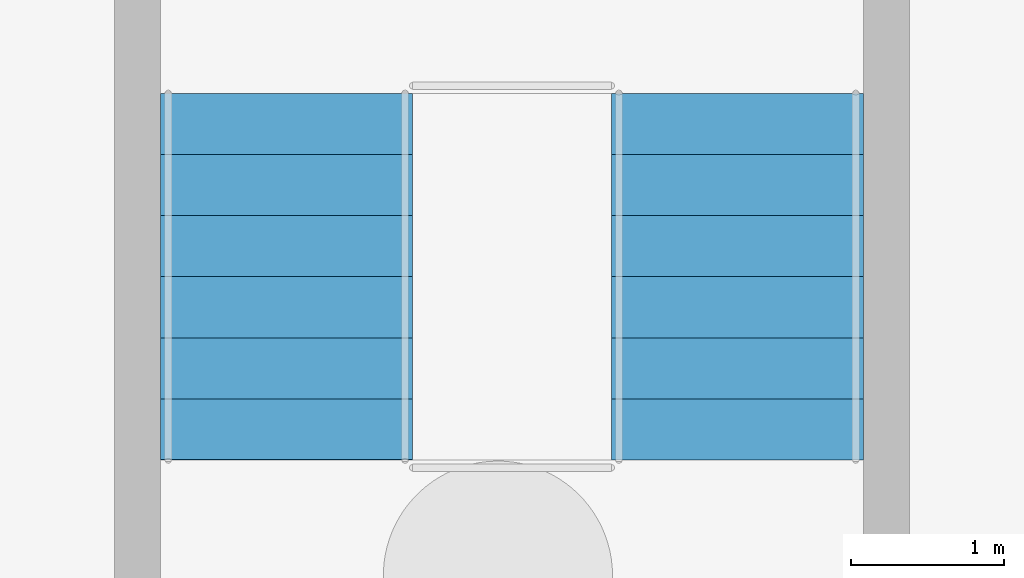
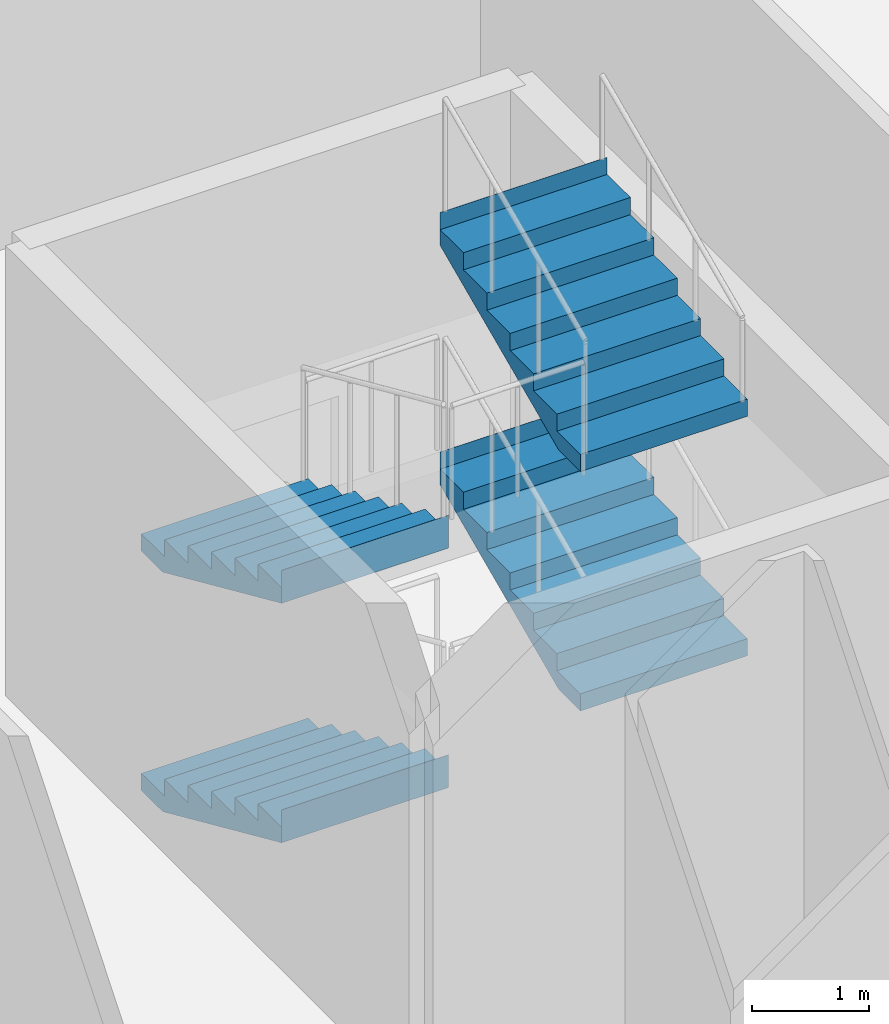
# One storey, part 12 of 19: 4 stair flights, 1 element without a shape of its own.
"""IFC4 building model written with IfcOpenShell, lengths in metres."""

from ifc_helpers import new_model, si_unit, direction, frame, origin, place, context, subcontext, project, spatial, triangles, material, type_object, element, aggregate, save


model = new_model("IFC4")

# Units and contexts
model_context = context("Model", 3, precision=1e-05, world=origin(), true_north=direction((0.0, 1.0)))
body_context = subcontext(model_context, "Body", "Model", "MODEL_VIEW")
ifc_project = project(units=[si_unit("LENGTHUNIT", "METRE"), si_unit("AREAUNIT", "SQUARE_METRE"), si_unit("VOLUMEUNIT", "CUBIC_METRE"), si_unit("PLANEANGLEUNIT", "RADIAN"), si_unit("MASSUNIT", "GRAM", prefix="KILO")], contexts=[model_context])

# Site, building, storey
site_placement = place(None, origin())
site = spatial("IfcSite", under=ifc_project, at=site_placement, CompositionType="ELEMENT")
building_placement = place(site_placement, origin())
building = spatial("IfcBuilding", under=site, at=building_placement, Name="Sahrelin Media Tower", CompositionType="ELEMENT")
storey_placement = place(building_placement, frame((0.0, 0.0, -5.0)))
storey = spatial("IfcBuildingStorey", under=building, at=storey_placement, Name="B1", CompositionType="ELEMENT", Elevation=-5.0)

# Stair, stair flights
ifc_material = material(Name="Concrete C40/50", Category="concrete")
stair_type = type_object("IfcStairType", Name="Podium stair 1650", PredefinedType="HALF_TURN_STAIR", material=ifc_material)
stair_placement = place(storey_placement, origin())
stair = element("IfcStair", 1, at=stair_placement, inside=storey, type_object=stair_type, Name="B1 Podium stair BS2", PredefinedType="HALF_TURN_STAIR")
stair_flight_type = type_object("IfcStairFlightType", Name="Stair flight 1650", PredefinedType="STRAIGHT", material=ifc_material)
stair_flight_1_placement = place(storey_placement, frame((-1.47509765625, -18.64990234375, 0.0), z_axis=(0.0, 0.0, 1.0), x_axis=(0.0, -1.0, 0.0)))
stair_flight_1 = element("IfcStairFlight", 2, at=stair_flight_1_placement, type_object=stair_flight_type, Name="BS2 flight 1", NumberOfRisers=7, NumberOfTreads=6, PredefinedType="STRAIGHT", RiserHeight=0.178571429, TreadLength=0.4, context=body_context, shape_type="Tessellation", body=[
    triangles([(0.36767578125, 0.824951171875, 0.0), (0.36767578125, 0.494873046875, 0.0), (0.36767578125, 0.1650390625, 0.0), (0.36767578125, -0.1650390625, 0.0), (0.36767578125, -0.494873046875, 0.0), (0.36767578125, -0.824951171875, 0.0), (2.39990234375, 0.824951171875, 0.9072265625), (2.39990234375, 0.494873046875, 0.9072265625), (2.39990234375, 0.1650390625, 0.9072265625), (2.39990234375, -0.1650390625, 0.9072265625), (2.39990234375, -0.494873046875, 0.9072265625), (2.39990234375, -0.824951171875, 0.9072265625), (2.39990234375, 0.824951171875, 1.25), (2.39990234375, 0.494873046875, 1.25), (2.39990234375, 0.1650390625, 1.25), (2.39990234375, -0.1650390625, 1.25), (2.39990234375, -0.494873046875, 1.25), (2.39990234375, -0.824951171875, 1.25), (2.39794921875, 0.824951171875, 1.25), (2.39794921875, 0.494873046875, 1.25), (2.39794921875, 0.1650390625, 1.25), (2.39794921875, -0.1650390625, 1.25), (2.39794921875, -0.494873046875, 1.25), (2.39794921875, -0.824951171875, 1.25), (2.39794921875, 0.824951171875, 1.071533203125), (2.39794921875, 0.494873046875, 1.071533203125), (2.39794921875, 0.1650390625, 1.071533203125), (2.39794921875, -0.1650390625, 1.071533203125), (2.39794921875, -0.494873046875, 1.071533203125), (2.39794921875, -0.824951171875, 1.071533203125), (2.0, 0.824951171875, 1.071533203125), (2.0, 0.494873046875, 1.071533203125), (2.0, 0.1650390625, 1.071533203125), (2.0, -0.1650390625, 1.071533203125), (2.0, -0.494873046875, 1.071533203125), (2.0, -0.824951171875, 1.071533203125), (2.0, 0.824951171875, 0.892822265625), (2.0, 0.494873046875, 0.892822265625), (2.0, 0.1650390625, 0.892822265625), (2.0, -0.1650390625, 0.892822265625), (2.0, -0.494873046875, 0.892822265625), (2.0, -0.824951171875, 0.892822265625), (1.60009765625, 0.824951171875, 0.892822265625), (1.60009765625, 0.494873046875, 0.892822265625), (1.60009765625, 0.1650390625, 0.892822265625), (1.60009765625, -0.1650390625, 0.892822265625), (1.60009765625, -0.494873046875, 0.892822265625), (1.60009765625, -0.824951171875, 0.892822265625), (1.60009765625, 0.824951171875, 0.71435546875), (1.60009765625, 0.494873046875, 0.71435546875), (1.60009765625, 0.1650390625, 0.71435546875), (1.60009765625, -0.1650390625, 0.71435546875), (1.60009765625, -0.494873046875, 0.71435546875), (1.60009765625, -0.824951171875, 0.71435546875), (1.199951171875, 0.824951171875, 0.71435546875), (1.199951171875, 0.494873046875, 0.71435546875), (1.199951171875, 0.1650390625, 0.71435546875), (1.199951171875, -0.1650390625, 0.71435546875), (1.199951171875, -0.494873046875, 0.71435546875), (1.199951171875, -0.824951171875, 0.71435546875), (1.199951171875, 0.824951171875, 0.53564453125), (1.199951171875, 0.494873046875, 0.53564453125), (1.199951171875, 0.1650390625, 0.53564453125), (1.199951171875, -0.1650390625, 0.53564453125), (1.199951171875, -0.494873046875, 0.53564453125), (1.199951171875, -0.824951171875, 0.53564453125), (0.800048828125, 0.824951171875, 0.53564453125), (0.800048828125, 0.494873046875, 0.53564453125), (0.800048828125, 0.1650390625, 0.53564453125), (0.800048828125, -0.1650390625, 0.53564453125), (0.800048828125, -0.494873046875, 0.53564453125), (0.800048828125, -0.824951171875, 0.53564453125), (0.800048828125, 0.824951171875, 0.357177734375), (0.800048828125, 0.494873046875, 0.357177734375), (0.800048828125, 0.1650390625, 0.357177734375), (0.800048828125, -0.1650390625, 0.357177734375), (0.800048828125, -0.494873046875, 0.357177734375), (0.800048828125, -0.824951171875, 0.357177734375), (0.39990234375, 0.824951171875, 0.357177734375), (0.39990234375, 0.494873046875, 0.357177734375), (0.39990234375, 0.1650390625, 0.357177734375), (0.39990234375, -0.1650390625, 0.357177734375), (0.39990234375, -0.494873046875, 0.357177734375), (0.39990234375, -0.824951171875, 0.357177734375), (0.39990234375, 0.824951171875, 0.178466796875), (0.39990234375, 0.494873046875, 0.178466796875), (0.39990234375, 0.1650390625, 0.178466796875), (0.39990234375, -0.1650390625, 0.178466796875), (0.39990234375, -0.494873046875, 0.178466796875), (0.39990234375, -0.824951171875, 0.178466796875), (0.0, 0.824951171875, 0.178466796875), (0.0, 0.494873046875, 0.178466796875), (0.0, 0.1650390625, 0.178466796875), (0.0, -0.1650390625, 0.178466796875), (0.0, -0.494873046875, 0.178466796875), (0.0, -0.824951171875, 0.178466796875), (0.0, 0.824951171875, 0.0), (0.0, 0.494873046875, 0.0), (0.0, 0.1650390625, 0.0), (0.0, -0.1650390625, 0.0), (0.0, -0.494873046875, 0.0), (0.0, -0.824951171875, 0.0)], [[1, 7, 8], [1, 8, 2], [2, 8, 9], [2, 9, 3], [3, 9, 10], [3, 10, 4], [4, 10, 11], [4, 11, 5], [5, 11, 12], [5, 12, 6], [7, 13, 14], [7, 14, 8], [8, 14, 15], [8, 15, 9], [9, 15, 16], [9, 16, 10], [10, 16, 17], [10, 17, 11], [11, 17, 18], [11, 18, 12], [13, 19, 20], [13, 20, 14], [14, 20, 21], [14, 21, 15], [15, 21, 22], [15, 22, 16], [16, 22, 23], [16, 23, 17], [17, 23, 24], [17, 24, 18], [19, 25, 26], [19, 26, 20], [20, 26, 27], [20, 27, 21], [21, 27, 28], [21, 28, 22], [22, 28, 29], [22, 29, 23], [23, 29, 30], [23, 30, 24], [25, 31, 32], [25, 32, 26], [26, 32, 33], [26, 33, 27], [27, 33, 34], [27, 34, 28], [28, 34, 35], [28, 35, 29], [29, 35, 36], [29, 36, 30], [31, 37, 38], [31, 38, 32], [32, 38, 39], [32, 39, 33], [33, 39, 40], [33, 40, 34], [34, 40, 41], [34, 41, 35], [35, 41, 42], [35, 42, 36], [37, 43, 44], [37, 44, 38], [38, 44, 45], [38, 45, 39], [39, 45, 46], [39, 46, 40], [40, 46, 47], [40, 47, 41], [41, 47, 48], [41, 48, 42], [43, 49, 50], [43, 50, 44], [44, 50, 51], [44, 51, 45], [45, 51, 52], [45, 52, 46], [46, 52, 53], [46, 53, 47], [47, 53, 54], [47, 54, 48], [49, 55, 56], [49, 56, 50], [50, 56, 57], [50, 57, 51], [51, 57, 58], [51, 58, 52], [52, 58, 59], [52, 59, 53], [53, 59, 60], [53, 60, 54], [55, 61, 62], [55, 62, 56], [56, 62, 63], [56, 63, 57], [57, 63, 64], [57, 64, 58], [58, 64, 65], [58, 65, 59], [59, 65, 66], [59, 66, 60], [61, 67, 68], [61, 68, 62], [62, 68, 69], [62, 69, 63], [63, 69, 70], [63, 70, 64], [64, 70, 71], [64, 71, 65], [65, 71, 72], [65, 72, 66], [67, 73, 74], [67, 74, 68], [68, 74, 75], [68, 75, 69], [69, 75, 76], [69, 76, 70], [70, 76, 77], [70, 77, 71], [71, 77, 78], [71, 78, 72], [73, 79, 80], [73, 80, 74], [74, 80, 81], [74, 81, 75], [75, 81, 82], [75, 82, 76], [76, 82, 83], [76, 83, 77], [77, 83, 84], [77, 84, 78], [79, 85, 86], [79, 86, 80], [80, 86, 87], [80, 87, 81], [81, 87, 88], [81, 88, 82], [82, 88, 89], [82, 89, 83], [83, 89, 90], [83, 90, 84], [85, 91, 92], [85, 92, 86], [86, 92, 93], [86, 93, 87], [87, 93, 94], [87, 94, 88], [88, 94, 95], [88, 95, 89], [89, 95, 96], [89, 96, 90], [91, 97, 98], [91, 98, 92], [92, 98, 99], [92, 99, 93], [93, 99, 100], [93, 100, 94], [94, 100, 101], [94, 101, 95], [95, 101, 102], [95, 102, 96], [97, 1, 2], [97, 2, 98], [98, 2, 3], [98, 3, 99], [99, 3, 4], [99, 4, 100], [100, 4, 5], [100, 5, 101], [101, 5, 6], [101, 6, 102], [6, 96, 102], [1, 97, 91], [90, 78, 84], [85, 79, 73], [78, 66, 72], [73, 67, 61], [66, 54, 60], [61, 55, 49], [54, 42, 48], [49, 43, 37], [12, 30, 36], [7, 31, 25], [30, 18, 24], [25, 19, 13], [6, 90, 96], [1, 91, 85], [6, 12, 66], [1, 61, 7], [30, 12, 18], [25, 13, 7], [78, 90, 6], [73, 1, 85], [36, 42, 12], [31, 7, 37], [66, 78, 6], [61, 1, 73], [54, 12, 42], [49, 37, 7], [12, 54, 66], [7, 61, 49]], closed=True),
])
stair_flight_2_placement = place(storey_placement, frame((1.47509765625, -21.050048828125, 1.25), z_axis=(0.0, 0.0, 1.0), x_axis=(0.0, 1.0, 0.0)))
stair_flight_2 = element("IfcStairFlight", 3, at=stair_flight_2_placement, type_object=stair_flight_type, Name="BS2 flight 2", NumberOfRisers=7, NumberOfTreads=6, PredefinedType="STRAIGHT", RiserHeight=0.178571429, TreadLength=0.4, context=body_context, shape_type="Tessellation", body=[
    triangles([(0.36767578125, 0.824951171875, 0.0), (0.36767578125, 0.494873046875, 0.0), (0.36767578125, 0.1650390625, 0.0), (0.36767578125, -0.1650390625, 0.0), (0.36767578125, -0.494873046875, 0.0), (0.36767578125, -0.824951171875, 0.0), (2.39990234375, 0.824951171875, 0.9072265625), (2.39990234375, 0.494873046875, 0.9072265625), (2.39990234375, 0.1650390625, 0.9072265625), (2.39990234375, -0.1650390625, 0.9072265625), (2.39990234375, -0.494873046875, 0.9072265625), (2.39990234375, -0.824951171875, 0.9072265625), (2.39990234375, 0.824951171875, 1.25), (2.39990234375, 0.494873046875, 1.25), (2.39990234375, 0.1650390625, 1.25), (2.39990234375, -0.1650390625, 1.25), (2.39990234375, -0.494873046875, 1.25), (2.39990234375, -0.824951171875, 1.25), (2.39794921875, 0.824951171875, 1.25), (2.39794921875, 0.494873046875, 1.25), (2.39794921875, 0.1650390625, 1.25), (2.39794921875, -0.1650390625, 1.25), (2.39794921875, -0.494873046875, 1.25), (2.39794921875, -0.824951171875, 1.25), (2.39794921875, 0.824951171875, 1.071533203125), (2.39794921875, 0.494873046875, 1.071533203125), (2.39794921875, 0.1650390625, 1.071533203125), (2.39794921875, -0.1650390625, 1.071533203125), (2.39794921875, -0.494873046875, 1.071533203125), (2.39794921875, -0.824951171875, 1.071533203125), (2.0, 0.824951171875, 1.071533203125), (2.0, 0.494873046875, 1.071533203125), (2.0, 0.1650390625, 1.071533203125), (2.0, -0.1650390625, 1.071533203125), (2.0, -0.494873046875, 1.071533203125), (2.0, -0.824951171875, 1.071533203125), (2.0, 0.824951171875, 0.892822265625), (2.0, 0.494873046875, 0.892822265625), (2.0, 0.1650390625, 0.892822265625), (2.0, -0.1650390625, 0.892822265625), (2.0, -0.494873046875, 0.892822265625), (2.0, -0.824951171875, 0.892822265625), (1.60009765625, 0.824951171875, 0.892822265625), (1.60009765625, 0.494873046875, 0.892822265625), (1.60009765625, 0.1650390625, 0.892822265625), (1.60009765625, -0.1650390625, 0.892822265625), (1.60009765625, -0.494873046875, 0.892822265625), (1.60009765625, -0.824951171875, 0.892822265625), (1.60009765625, 0.824951171875, 0.71435546875), (1.60009765625, 0.494873046875, 0.71435546875), (1.60009765625, 0.1650390625, 0.71435546875), (1.60009765625, -0.1650390625, 0.71435546875), (1.60009765625, -0.494873046875, 0.71435546875), (1.60009765625, -0.824951171875, 0.71435546875), (1.199951171875, 0.824951171875, 0.71435546875), (1.199951171875, 0.494873046875, 0.71435546875), (1.199951171875, 0.1650390625, 0.71435546875), (1.199951171875, -0.1650390625, 0.71435546875), (1.199951171875, -0.494873046875, 0.71435546875), (1.199951171875, -0.824951171875, 0.71435546875), (1.199951171875, 0.824951171875, 0.53564453125), (1.199951171875, 0.494873046875, 0.53564453125), (1.199951171875, 0.1650390625, 0.53564453125), (1.199951171875, -0.1650390625, 0.53564453125), (1.199951171875, -0.494873046875, 0.53564453125), (1.199951171875, -0.824951171875, 0.53564453125), (0.800048828125, 0.824951171875, 0.53564453125), (0.800048828125, 0.494873046875, 0.53564453125), (0.800048828125, 0.1650390625, 0.53564453125), (0.800048828125, -0.1650390625, 0.53564453125), (0.800048828125, -0.494873046875, 0.53564453125), (0.800048828125, -0.824951171875, 0.53564453125), (0.800048828125, 0.824951171875, 0.357177734375), (0.800048828125, 0.494873046875, 0.357177734375), (0.800048828125, 0.1650390625, 0.357177734375), (0.800048828125, -0.1650390625, 0.357177734375), (0.800048828125, -0.494873046875, 0.357177734375), (0.800048828125, -0.824951171875, 0.357177734375), (0.39990234375, 0.824951171875, 0.357177734375), (0.39990234375, 0.494873046875, 0.357177734375), (0.39990234375, 0.1650390625, 0.357177734375), (0.39990234375, -0.1650390625, 0.357177734375), (0.39990234375, -0.494873046875, 0.357177734375), (0.39990234375, -0.824951171875, 0.357177734375), (0.39990234375, 0.824951171875, 0.178466796875), (0.39990234375, 0.494873046875, 0.178466796875), (0.39990234375, 0.1650390625, 0.178466796875), (0.39990234375, -0.1650390625, 0.178466796875), (0.39990234375, -0.494873046875, 0.178466796875), (0.39990234375, -0.824951171875, 0.178466796875), (0.0, 0.824951171875, 0.178466796875), (0.0, 0.494873046875, 0.178466796875), (0.0, 0.1650390625, 0.178466796875), (0.0, -0.1650390625, 0.178466796875), (0.0, -0.494873046875, 0.178466796875), (0.0, -0.824951171875, 0.178466796875), (0.0, 0.824951171875, 0.0), (0.0, 0.494873046875, 0.0), (0.0, 0.1650390625, 0.0), (0.0, -0.1650390625, 0.0), (0.0, -0.494873046875, 0.0), (0.0, -0.824951171875, 0.0)], [[1, 7, 8], [1, 8, 2], [2, 8, 9], [2, 9, 3], [3, 9, 10], [3, 10, 4], [4, 10, 11], [4, 11, 5], [5, 11, 12], [5, 12, 6], [7, 13, 14], [7, 14, 8], [8, 14, 15], [8, 15, 9], [9, 15, 16], [9, 16, 10], [10, 16, 17], [10, 17, 11], [11, 17, 18], [11, 18, 12], [13, 19, 20], [13, 20, 14], [14, 20, 21], [14, 21, 15], [15, 21, 22], [15, 22, 16], [16, 22, 23], [16, 23, 17], [17, 23, 24], [17, 24, 18], [19, 25, 26], [19, 26, 20], [20, 26, 27], [20, 27, 21], [21, 27, 28], [21, 28, 22], [22, 28, 29], [22, 29, 23], [23, 29, 30], [23, 30, 24], [25, 31, 32], [25, 32, 26], [26, 32, 33], [26, 33, 27], [27, 33, 34], [27, 34, 28], [28, 34, 35], [28, 35, 29], [29, 35, 36], [29, 36, 30], [31, 37, 38], [31, 38, 32], [32, 38, 39], [32, 39, 33], [33, 39, 40], [33, 40, 34], [34, 40, 41], [34, 41, 35], [35, 41, 42], [35, 42, 36], [37, 43, 44], [37, 44, 38], [38, 44, 45], [38, 45, 39], [39, 45, 46], [39, 46, 40], [40, 46, 47], [40, 47, 41], [41, 47, 48], [41, 48, 42], [43, 49, 50], [43, 50, 44], [44, 50, 51], [44, 51, 45], [45, 51, 52], [45, 52, 46], [46, 52, 53], [46, 53, 47], [47, 53, 54], [47, 54, 48], [49, 55, 56], [49, 56, 50], [50, 56, 57], [50, 57, 51], [51, 57, 58], [51, 58, 52], [52, 58, 59], [52, 59, 53], [53, 59, 60], [53, 60, 54], [55, 61, 62], [55, 62, 56], [56, 62, 63], [56, 63, 57], [57, 63, 64], [57, 64, 58], [58, 64, 65], [58, 65, 59], [59, 65, 66], [59, 66, 60], [61, 67, 68], [61, 68, 62], [62, 68, 69], [62, 69, 63], [63, 69, 70], [63, 70, 64], [64, 70, 71], [64, 71, 65], [65, 71, 72], [65, 72, 66], [67, 73, 74], [67, 74, 68], [68, 74, 75], [68, 75, 69], [69, 75, 76], [69, 76, 70], [70, 76, 77], [70, 77, 71], [71, 77, 78], [71, 78, 72], [73, 79, 80], [73, 80, 74], [74, 80, 81], [74, 81, 75], [75, 81, 82], [75, 82, 76], [76, 82, 83], [76, 83, 77], [77, 83, 84], [77, 84, 78], [79, 85, 86], [79, 86, 80], [80, 86, 87], [80, 87, 81], [81, 87, 88], [81, 88, 82], [82, 88, 89], [82, 89, 83], [83, 89, 90], [83, 90, 84], [85, 91, 92], [85, 92, 86], [86, 92, 93], [86, 93, 87], [87, 93, 94], [87, 94, 88], [88, 94, 95], [88, 95, 89], [89, 95, 96], [89, 96, 90], [91, 97, 98], [91, 98, 92], [92, 98, 99], [92, 99, 93], [93, 99, 100], [93, 100, 94], [94, 100, 101], [94, 101, 95], [95, 101, 102], [95, 102, 96], [97, 1, 2], [97, 2, 98], [98, 2, 3], [98, 3, 99], [99, 3, 4], [99, 4, 100], [100, 4, 5], [100, 5, 101], [101, 5, 6], [101, 6, 102], [6, 96, 102], [1, 97, 91], [90, 78, 84], [85, 79, 73], [78, 66, 72], [73, 67, 61], [66, 54, 60], [61, 55, 49], [54, 42, 48], [49, 43, 37], [12, 30, 36], [7, 31, 25], [30, 18, 24], [25, 19, 13], [6, 90, 96], [1, 91, 85], [6, 12, 66], [1, 61, 7], [30, 12, 18], [25, 13, 7], [78, 90, 6], [73, 1, 85], [36, 42, 12], [31, 7, 37], [66, 78, 6], [61, 1, 73], [54, 12, 42], [49, 37, 7], [12, 54, 66], [7, 61, 49]], closed=True),
])
stair_flight_3_placement = place(storey_placement, frame((-1.47509765625, -18.64990234375, 2.5), z_axis=(0.0, 0.0, 1.0), x_axis=(0.0, -1.0, 0.0)))
stair_flight_3 = element("IfcStairFlight", 4, at=stair_flight_3_placement, type_object=stair_flight_type, Name="BS2 flight 3", NumberOfRisers=7, NumberOfTreads=6, PredefinedType="STRAIGHT", RiserHeight=0.178571429, TreadLength=0.4, context=body_context, shape_type="Tessellation", body=[
    triangles([(0.36767578125, 0.824951171875, 0.0), (0.36767578125, 0.494873046875, 0.0), (0.36767578125, 0.1650390625, 0.0), (0.36767578125, -0.1650390625, 0.0), (0.36767578125, -0.494873046875, 0.0), (0.36767578125, -0.824951171875, 0.0), (2.39990234375, 0.824951171875, 0.9072265625), (2.39990234375, 0.494873046875, 0.9072265625), (2.39990234375, 0.1650390625, 0.9072265625), (2.39990234375, -0.1650390625, 0.9072265625), (2.39990234375, -0.494873046875, 0.9072265625), (2.39990234375, -0.824951171875, 0.9072265625), (2.39990234375, 0.824951171875, 1.25), (2.39990234375, 0.494873046875, 1.25), (2.39990234375, 0.1650390625, 1.25), (2.39990234375, -0.1650390625, 1.25), (2.39990234375, -0.494873046875, 1.25), (2.39990234375, -0.824951171875, 1.25), (2.39794921875, 0.824951171875, 1.25), (2.39794921875, 0.494873046875, 1.25), (2.39794921875, 0.1650390625, 1.25), (2.39794921875, -0.1650390625, 1.25), (2.39794921875, -0.494873046875, 1.25), (2.39794921875, -0.824951171875, 1.25), (2.39794921875, 0.824951171875, 1.071533203125), (2.39794921875, 0.494873046875, 1.071533203125), (2.39794921875, 0.1650390625, 1.071533203125), (2.39794921875, -0.1650390625, 1.071533203125), (2.39794921875, -0.494873046875, 1.071533203125), (2.39794921875, -0.824951171875, 1.071533203125), (2.0, 0.824951171875, 1.071533203125), (2.0, 0.494873046875, 1.071533203125), (2.0, 0.1650390625, 1.071533203125), (2.0, -0.1650390625, 1.071533203125), (2.0, -0.494873046875, 1.071533203125), (2.0, -0.824951171875, 1.071533203125), (2.0, 0.824951171875, 0.892822265625), (2.0, 0.494873046875, 0.892822265625), (2.0, 0.1650390625, 0.892822265625), (2.0, -0.1650390625, 0.892822265625), (2.0, -0.494873046875, 0.892822265625), (2.0, -0.824951171875, 0.892822265625), (1.60009765625, 0.824951171875, 0.892822265625), (1.60009765625, 0.494873046875, 0.892822265625), (1.60009765625, 0.1650390625, 0.892822265625), (1.60009765625, -0.1650390625, 0.892822265625), (1.60009765625, -0.494873046875, 0.892822265625), (1.60009765625, -0.824951171875, 0.892822265625), (1.60009765625, 0.824951171875, 0.71435546875), (1.60009765625, 0.494873046875, 0.71435546875), (1.60009765625, 0.1650390625, 0.71435546875), (1.60009765625, -0.1650390625, 0.71435546875), (1.60009765625, -0.494873046875, 0.71435546875), (1.60009765625, -0.824951171875, 0.71435546875), (1.199951171875, 0.824951171875, 0.71435546875), (1.199951171875, 0.494873046875, 0.71435546875), (1.199951171875, 0.1650390625, 0.71435546875), (1.199951171875, -0.1650390625, 0.71435546875), (1.199951171875, -0.494873046875, 0.71435546875), (1.199951171875, -0.824951171875, 0.71435546875), (1.199951171875, 0.824951171875, 0.53564453125), (1.199951171875, 0.494873046875, 0.53564453125), (1.199951171875, 0.1650390625, 0.53564453125), (1.199951171875, -0.1650390625, 0.53564453125), (1.199951171875, -0.494873046875, 0.53564453125), (1.199951171875, -0.824951171875, 0.53564453125), (0.800048828125, 0.824951171875, 0.53564453125), (0.800048828125, 0.494873046875, 0.53564453125), (0.800048828125, 0.1650390625, 0.53564453125), (0.800048828125, -0.1650390625, 0.53564453125), (0.800048828125, -0.494873046875, 0.53564453125), (0.800048828125, -0.824951171875, 0.53564453125), (0.800048828125, 0.824951171875, 0.357177734375), (0.800048828125, 0.494873046875, 0.357177734375), (0.800048828125, 0.1650390625, 0.357177734375), (0.800048828125, -0.1650390625, 0.357177734375), (0.800048828125, -0.494873046875, 0.357177734375), (0.800048828125, -0.824951171875, 0.357177734375), (0.39990234375, 0.824951171875, 0.357177734375), (0.39990234375, 0.494873046875, 0.357177734375), (0.39990234375, 0.1650390625, 0.357177734375), (0.39990234375, -0.1650390625, 0.357177734375), (0.39990234375, -0.494873046875, 0.357177734375), (0.39990234375, -0.824951171875, 0.357177734375), (0.39990234375, 0.824951171875, 0.178466796875), (0.39990234375, 0.494873046875, 0.178466796875), (0.39990234375, 0.1650390625, 0.178466796875), (0.39990234375, -0.1650390625, 0.178466796875), (0.39990234375, -0.494873046875, 0.178466796875), (0.39990234375, -0.824951171875, 0.178466796875), (0.0, 0.824951171875, 0.178466796875), (0.0, 0.494873046875, 0.178466796875), (0.0, 0.1650390625, 0.178466796875), (0.0, -0.1650390625, 0.178466796875), (0.0, -0.494873046875, 0.178466796875), (0.0, -0.824951171875, 0.178466796875), (0.0, 0.824951171875, 0.0), (0.0, 0.494873046875, 0.0), (0.0, 0.1650390625, 0.0), (0.0, -0.1650390625, 0.0), (0.0, -0.494873046875, 0.0), (0.0, -0.824951171875, 0.0)], [[1, 7, 8], [1, 8, 2], [2, 8, 9], [2, 9, 3], [3, 9, 10], [3, 10, 4], [4, 10, 11], [4, 11, 5], [5, 11, 12], [5, 12, 6], [7, 13, 14], [7, 14, 8], [8, 14, 15], [8, 15, 9], [9, 15, 16], [9, 16, 10], [10, 16, 17], [10, 17, 11], [11, 17, 18], [11, 18, 12], [13, 19, 20], [13, 20, 14], [14, 20, 21], [14, 21, 15], [15, 21, 22], [15, 22, 16], [16, 22, 23], [16, 23, 17], [17, 23, 24], [17, 24, 18], [19, 25, 26], [19, 26, 20], [20, 26, 27], [20, 27, 21], [21, 27, 28], [21, 28, 22], [22, 28, 29], [22, 29, 23], [23, 29, 30], [23, 30, 24], [25, 31, 32], [25, 32, 26], [26, 32, 33], [26, 33, 27], [27, 33, 34], [27, 34, 28], [28, 34, 35], [28, 35, 29], [29, 35, 36], [29, 36, 30], [31, 37, 38], [31, 38, 32], [32, 38, 39], [32, 39, 33], [33, 39, 40], [33, 40, 34], [34, 40, 41], [34, 41, 35], [35, 41, 42], [35, 42, 36], [37, 43, 44], [37, 44, 38], [38, 44, 45], [38, 45, 39], [39, 45, 46], [39, 46, 40], [40, 46, 47], [40, 47, 41], [41, 47, 48], [41, 48, 42], [43, 49, 50], [43, 50, 44], [44, 50, 51], [44, 51, 45], [45, 51, 52], [45, 52, 46], [46, 52, 53], [46, 53, 47], [47, 53, 54], [47, 54, 48], [49, 55, 56], [49, 56, 50], [50, 56, 57], [50, 57, 51], [51, 57, 58], [51, 58, 52], [52, 58, 59], [52, 59, 53], [53, 59, 60], [53, 60, 54], [55, 61, 62], [55, 62, 56], [56, 62, 63], [56, 63, 57], [57, 63, 64], [57, 64, 58], [58, 64, 65], [58, 65, 59], [59, 65, 66], [59, 66, 60], [61, 67, 68], [61, 68, 62], [62, 68, 69], [62, 69, 63], [63, 69, 70], [63, 70, 64], [64, 70, 71], [64, 71, 65], [65, 71, 72], [65, 72, 66], [67, 73, 74], [67, 74, 68], [68, 74, 75], [68, 75, 69], [69, 75, 76], [69, 76, 70], [70, 76, 77], [70, 77, 71], [71, 77, 78], [71, 78, 72], [73, 79, 80], [73, 80, 74], [74, 80, 81], [74, 81, 75], [75, 81, 82], [75, 82, 76], [76, 82, 83], [76, 83, 77], [77, 83, 84], [77, 84, 78], [79, 85, 86], [79, 86, 80], [80, 86, 87], [80, 87, 81], [81, 87, 88], [81, 88, 82], [82, 88, 89], [82, 89, 83], [83, 89, 90], [83, 90, 84], [85, 91, 92], [85, 92, 86], [86, 92, 93], [86, 93, 87], [87, 93, 94], [87, 94, 88], [88, 94, 95], [88, 95, 89], [89, 95, 96], [89, 96, 90], [91, 97, 98], [91, 98, 92], [92, 98, 99], [92, 99, 93], [93, 99, 100], [93, 100, 94], [94, 100, 101], [94, 101, 95], [95, 101, 102], [95, 102, 96], [97, 1, 2], [97, 2, 98], [98, 2, 3], [98, 3, 99], [99, 3, 4], [99, 4, 100], [100, 4, 5], [100, 5, 101], [101, 5, 6], [101, 6, 102], [6, 96, 102], [1, 97, 91], [90, 78, 84], [85, 79, 73], [78, 66, 72], [73, 67, 61], [66, 54, 60], [61, 55, 49], [54, 42, 48], [49, 43, 37], [12, 30, 36], [7, 31, 25], [30, 18, 24], [25, 19, 13], [6, 90, 96], [1, 91, 85], [6, 12, 66], [1, 61, 7], [30, 12, 18], [25, 13, 7], [78, 90, 6], [73, 1, 85], [36, 42, 12], [31, 7, 37], [66, 78, 6], [61, 1, 73], [54, 12, 42], [49, 37, 7], [12, 54, 66], [7, 61, 49]], closed=True),
])
stair_flight_4_placement = place(storey_placement, frame((1.47509765625, -21.050048828125, 3.75), z_axis=(0.0, 0.0, 1.0), x_axis=(0.0, 1.0, 0.0)))
stair_flight_4 = element("IfcStairFlight", 5, at=stair_flight_4_placement, type_object=stair_flight_type, Name="BS2 flight 4", NumberOfRisers=7, NumberOfTreads=6, PredefinedType="STRAIGHT", RiserHeight=0.178571429, TreadLength=0.4, context=body_context, shape_type="Tessellation", body=[
    triangles([(0.36767578125, 0.824951171875, 0.0), (0.36767578125, 0.494873046875, 0.0), (0.36767578125, 0.1650390625, 0.0), (0.36767578125, -0.1650390625, 0.0), (0.36767578125, -0.494873046875, 0.0), (0.36767578125, -0.824951171875, 0.0), (2.39990234375, 0.824951171875, 0.9072265625), (2.39990234375, 0.494873046875, 0.9072265625), (2.39990234375, 0.1650390625, 0.9072265625), (2.39990234375, -0.1650390625, 0.9072265625), (2.39990234375, -0.494873046875, 0.9072265625), (2.39990234375, -0.824951171875, 0.9072265625), (2.39990234375, 0.824951171875, 1.25), (2.39990234375, 0.494873046875, 1.25), (2.39990234375, 0.1650390625, 1.25), (2.39990234375, -0.1650390625, 1.25), (2.39990234375, -0.494873046875, 1.25), (2.39990234375, -0.824951171875, 1.25), (2.39794921875, 0.824951171875, 1.25), (2.39794921875, 0.494873046875, 1.25), (2.39794921875, 0.1650390625, 1.25), (2.39794921875, -0.1650390625, 1.25), (2.39794921875, -0.494873046875, 1.25), (2.39794921875, -0.824951171875, 1.25), (2.39794921875, 0.824951171875, 1.071533203125), (2.39794921875, 0.494873046875, 1.071533203125), (2.39794921875, 0.1650390625, 1.071533203125), (2.39794921875, -0.1650390625, 1.071533203125), (2.39794921875, -0.494873046875, 1.071533203125), (2.39794921875, -0.824951171875, 1.071533203125), (2.0, 0.824951171875, 1.071533203125), (2.0, 0.494873046875, 1.071533203125), (2.0, 0.1650390625, 1.071533203125), (2.0, -0.1650390625, 1.071533203125), (2.0, -0.494873046875, 1.071533203125), (2.0, -0.824951171875, 1.071533203125), (2.0, 0.824951171875, 0.892822265625), (2.0, 0.494873046875, 0.892822265625), (2.0, 0.1650390625, 0.892822265625), (2.0, -0.1650390625, 0.892822265625), (2.0, -0.494873046875, 0.892822265625), (2.0, -0.824951171875, 0.892822265625), (1.60009765625, 0.824951171875, 0.892822265625), (1.60009765625, 0.494873046875, 0.892822265625), (1.60009765625, 0.1650390625, 0.892822265625), (1.60009765625, -0.1650390625, 0.892822265625), (1.60009765625, -0.494873046875, 0.892822265625), (1.60009765625, -0.824951171875, 0.892822265625), (1.60009765625, 0.824951171875, 0.71435546875), (1.60009765625, 0.494873046875, 0.71435546875), (1.60009765625, 0.1650390625, 0.71435546875), (1.60009765625, -0.1650390625, 0.71435546875), (1.60009765625, -0.494873046875, 0.71435546875), (1.60009765625, -0.824951171875, 0.71435546875), (1.199951171875, 0.824951171875, 0.71435546875), (1.199951171875, 0.494873046875, 0.71435546875), (1.199951171875, 0.1650390625, 0.71435546875), (1.199951171875, -0.1650390625, 0.71435546875), (1.199951171875, -0.494873046875, 0.71435546875), (1.199951171875, -0.824951171875, 0.71435546875), (1.199951171875, 0.824951171875, 0.53564453125), (1.199951171875, 0.494873046875, 0.53564453125), (1.199951171875, 0.1650390625, 0.53564453125), (1.199951171875, -0.1650390625, 0.53564453125), (1.199951171875, -0.494873046875, 0.53564453125), (1.199951171875, -0.824951171875, 0.53564453125), (0.800048828125, 0.824951171875, 0.53564453125), (0.800048828125, 0.494873046875, 0.53564453125), (0.800048828125, 0.1650390625, 0.53564453125), (0.800048828125, -0.1650390625, 0.53564453125), (0.800048828125, -0.494873046875, 0.53564453125), (0.800048828125, -0.824951171875, 0.53564453125), (0.800048828125, 0.824951171875, 0.357177734375), (0.800048828125, 0.494873046875, 0.357177734375), (0.800048828125, 0.1650390625, 0.357177734375), (0.800048828125, -0.1650390625, 0.357177734375), (0.800048828125, -0.494873046875, 0.357177734375), (0.800048828125, -0.824951171875, 0.357177734375), (0.39990234375, 0.824951171875, 0.357177734375), (0.39990234375, 0.494873046875, 0.357177734375), (0.39990234375, 0.1650390625, 0.357177734375), (0.39990234375, -0.1650390625, 0.357177734375), (0.39990234375, -0.494873046875, 0.357177734375), (0.39990234375, -0.824951171875, 0.357177734375), (0.39990234375, 0.824951171875, 0.178466796875), (0.39990234375, 0.494873046875, 0.178466796875), (0.39990234375, 0.1650390625, 0.178466796875), (0.39990234375, -0.1650390625, 0.178466796875), (0.39990234375, -0.494873046875, 0.178466796875), (0.39990234375, -0.824951171875, 0.178466796875), (0.0, 0.824951171875, 0.178466796875), (0.0, 0.494873046875, 0.178466796875), (0.0, 0.1650390625, 0.178466796875), (0.0, -0.1650390625, 0.178466796875), (0.0, -0.494873046875, 0.178466796875), (0.0, -0.824951171875, 0.178466796875), (0.0, 0.824951171875, 0.0), (0.0, 0.494873046875, 0.0), (0.0, 0.1650390625, 0.0), (0.0, -0.1650390625, 0.0), (0.0, -0.494873046875, 0.0), (0.0, -0.824951171875, 0.0)], [[1, 7, 8], [1, 8, 2], [2, 8, 9], [2, 9, 3], [3, 9, 10], [3, 10, 4], [4, 10, 11], [4, 11, 5], [5, 11, 12], [5, 12, 6], [7, 13, 14], [7, 14, 8], [8, 14, 15], [8, 15, 9], [9, 15, 16], [9, 16, 10], [10, 16, 17], [10, 17, 11], [11, 17, 18], [11, 18, 12], [13, 19, 20], [13, 20, 14], [14, 20, 21], [14, 21, 15], [15, 21, 22], [15, 22, 16], [16, 22, 23], [16, 23, 17], [17, 23, 24], [17, 24, 18], [19, 25, 26], [19, 26, 20], [20, 26, 27], [20, 27, 21], [21, 27, 28], [21, 28, 22], [22, 28, 29], [22, 29, 23], [23, 29, 30], [23, 30, 24], [25, 31, 32], [25, 32, 26], [26, 32, 33], [26, 33, 27], [27, 33, 34], [27, 34, 28], [28, 34, 35], [28, 35, 29], [29, 35, 36], [29, 36, 30], [31, 37, 38], [31, 38, 32], [32, 38, 39], [32, 39, 33], [33, 39, 40], [33, 40, 34], [34, 40, 41], [34, 41, 35], [35, 41, 42], [35, 42, 36], [37, 43, 44], [37, 44, 38], [38, 44, 45], [38, 45, 39], [39, 45, 46], [39, 46, 40], [40, 46, 47], [40, 47, 41], [41, 47, 48], [41, 48, 42], [43, 49, 50], [43, 50, 44], [44, 50, 51], [44, 51, 45], [45, 51, 52], [45, 52, 46], [46, 52, 53], [46, 53, 47], [47, 53, 54], [47, 54, 48], [49, 55, 56], [49, 56, 50], [50, 56, 57], [50, 57, 51], [51, 57, 58], [51, 58, 52], [52, 58, 59], [52, 59, 53], [53, 59, 60], [53, 60, 54], [55, 61, 62], [55, 62, 56], [56, 62, 63], [56, 63, 57], [57, 63, 64], [57, 64, 58], [58, 64, 65], [58, 65, 59], [59, 65, 66], [59, 66, 60], [61, 67, 68], [61, 68, 62], [62, 68, 69], [62, 69, 63], [63, 69, 70], [63, 70, 64], [64, 70, 71], [64, 71, 65], [65, 71, 72], [65, 72, 66], [67, 73, 74], [67, 74, 68], [68, 74, 75], [68, 75, 69], [69, 75, 76], [69, 76, 70], [70, 76, 77], [70, 77, 71], [71, 77, 78], [71, 78, 72], [73, 79, 80], [73, 80, 74], [74, 80, 81], [74, 81, 75], [75, 81, 82], [75, 82, 76], [76, 82, 83], [76, 83, 77], [77, 83, 84], [77, 84, 78], [79, 85, 86], [79, 86, 80], [80, 86, 87], [80, 87, 81], [81, 87, 88], [81, 88, 82], [82, 88, 89], [82, 89, 83], [83, 89, 90], [83, 90, 84], [85, 91, 92], [85, 92, 86], [86, 92, 93], [86, 93, 87], [87, 93, 94], [87, 94, 88], [88, 94, 95], [88, 95, 89], [89, 95, 96], [89, 96, 90], [91, 97, 98], [91, 98, 92], [92, 98, 99], [92, 99, 93], [93, 99, 100], [93, 100, 94], [94, 100, 101], [94, 101, 95], [95, 101, 102], [95, 102, 96], [97, 1, 2], [97, 2, 98], [98, 2, 3], [98, 3, 99], [99, 3, 4], [99, 4, 100], [100, 4, 5], [100, 5, 101], [101, 5, 6], [101, 6, 102], [6, 96, 102], [1, 97, 91], [90, 78, 84], [85, 79, 73], [78, 66, 72], [73, 67, 61], [66, 54, 60], [61, 55, 49], [54, 42, 48], [49, 43, 37], [12, 30, 36], [7, 31, 25], [30, 18, 24], [25, 19, 13], [6, 90, 96], [1, 91, 85], [6, 12, 66], [1, 61, 7], [30, 12, 18], [25, 13, 7], [78, 90, 6], [73, 1, 85], [36, 42, 12], [31, 7, 37], [66, 78, 6], [61, 1, 73], [54, 12, 42], [49, 37, 7], [12, 54, 66], [7, 61, 49]], closed=True),
])
aggregate(stair, [stair_flight_1, stair_flight_2, stair_flight_3, stair_flight_4])

save(model, "model.ifc")
